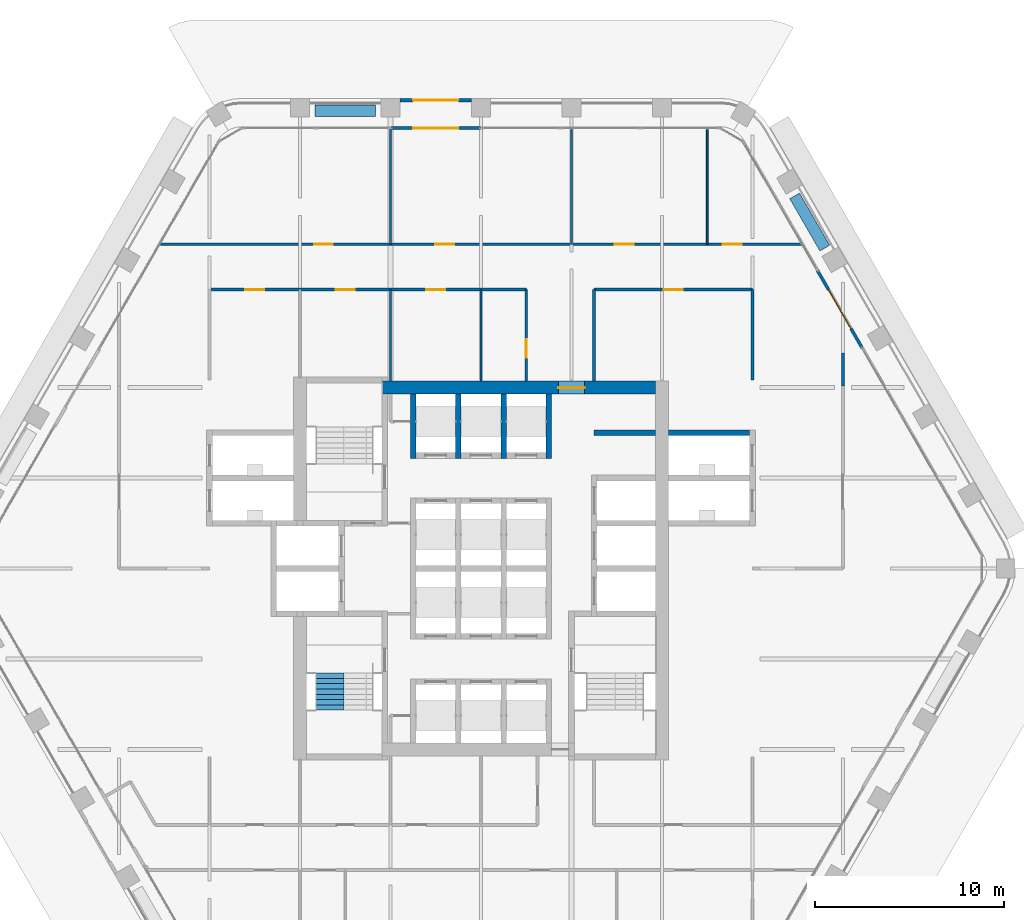
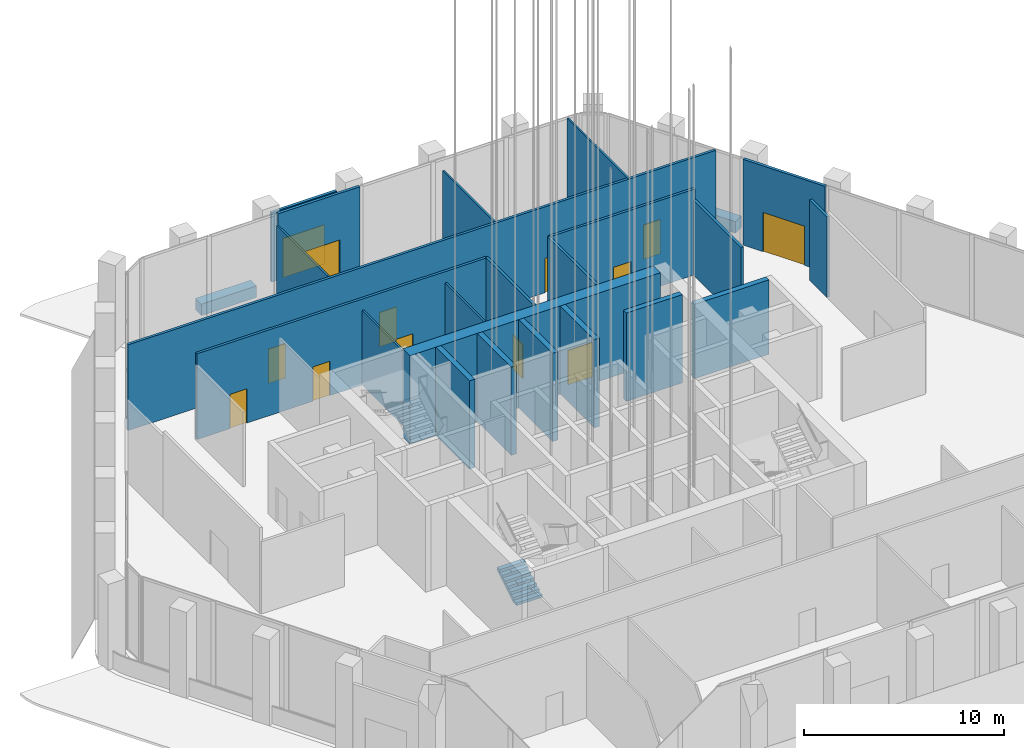
# One storey, part 11 of 42: 24 walls, 13 doors, 1 stair flight, 13 openings, 1 element without a shape of its own.
"""IFC4 building model written with IfcOpenShell, lengths in metres."""

from ifc_helpers import new_model, si_unit, direction, frame, frame_2d, origin, place, context, subcontext, project, spatial, polyline, rectangle, outline, extrude, material, layer, layer_set, type_object, element, fill, aggregate, save


model = new_model("IFC4")

# Units and contexts
model_context = context("Model", 3, precision=1e-05, world=origin(), true_north=direction((0.0, 1.0)))
body_context = subcontext(model_context, "Body", "Model", "MODEL_VIEW")
ifc_project = project(units=[si_unit("LENGTHUNIT", "METRE"), si_unit("AREAUNIT", "SQUARE_METRE"), si_unit("VOLUMEUNIT", "CUBIC_METRE"), si_unit("PLANEANGLEUNIT", "RADIAN"), si_unit("MASSUNIT", "GRAM", prefix="KILO")], contexts=[model_context])

# Site, building, storey
site_placement = place(None, origin())
site = spatial("IfcSite", under=ifc_project, at=site_placement, CompositionType="ELEMENT")
building_placement = place(site_placement, origin())
building = spatial("IfcBuilding", under=site, at=building_placement, Name="Kolab Exchange Tower", CompositionType="ELEMENT")
storey_placement = place(building_placement, frame((0.0, 0.0, 133.39990234375)))
storey = spatial("IfcBuildingStorey", under=building, at=storey_placement, Name="L26", CompositionType="ELEMENT", Elevation=133.39990234375)

# Wall, opening, door
ifc_material_1 = material(Name="Concrete C60/75", Category="concrete")
ifc_layer_1 = layer(ifc_material_1, 0.699951171875)
ifc_layer_set_1 = layer_set([ifc_layer_1], Name="Concrete C60/75")
wall_type_1 = type_object("IfcWallType", Name="CORE WALL 700 C60/75", PredefinedType="SHEAR", material=ifc_layer_set_1)
wall_1_placement = place(storey_placement, frame((-5.25, 9.60009765625, -0.14990234375), z_axis=(0.0, 0.0, 1.0), x_axis=(1.0, 0.0, 0.0)))
wall_1 = element("IfcWall", 1, at=wall_1_placement, inside=storey, type_object=wall_type_1, Name="wall/L26/core/037", PredefinedType="SHEAR", context=body_context, shape_type="SweptSolid", body=[
    extrude(rectangle(XDim=14.5, YDim=0.699951171875, at=frame_2d((7.25, 0.0))), origin(), (0.0, 0.0, 1.0), 5.39990234375),
])
opening_1_placement = place(wall_1_placement, frame((9.35009765625, 0.0, 0.14990234375)))
opening_1 = element("IfcOpeningElement", 2, at=opening_1_placement, cuts=wall_1, Name="Opening D5-009", PredefinedType="OPENING", context=body_context, shape_type="SweptSolid", body=[
    extrude(rectangle(XDim=1.39990234375, YDim=2.10009765625, at=frame_2d((0.699951171875, 1.050048828125))), frame((0.0, 0.35986328125, 0.0), z_axis=(0.0, -1.0, 0.0), x_axis=(1.0, 0.0, 0.0)), (0.0, 0.0, 1.0), 0.719970703125),
])
ifc_material_2 = material(Name="Steel S235", Category="steel")
door_type_1 = type_object("IfcDoorType", Name="CORE DOOR 1400 EI 120", OperationType="DOUBLE_DOOR_SINGLE_SWING", PredefinedType="DOOR", material=ifc_material_2)
door_1_placement = place(opening_1_placement, frame((1.39990234375, 0.0, 0.0), z_axis=(0.0, 0.0, 1.0), x_axis=(-1.0, 0.0, 0.0)))
door_1 = element("IfcDoor", 3, at=door_1_placement, inside=storey, type_object=door_type_1, Name="Core lobby door", OperationType="SINGLE_SWING_LEFT", OverallHeight=2.10009765625, OverallWidth=1.39990234375, PredefinedType="DOOR", context=body_context, shape_type="SweptSolid", body=[
    extrude(rectangle(XDim=1.39990234375, YDim=2.10009765625, at=frame_2d((0.699951171875, 1.050048828125))), frame((0.0, 0.02490234375, 0.0), z_axis=(0.0, -1.0, 0.0), x_axis=(1.0, 0.0, 0.0)), (0.0, 0.0, 1.0), 0.050048828125),
])
fill(opening_1, door_1)

ifc_material_3 = material(Name="Aluminium EN AW-6063 T6", Category="aluminium")
ifc_layer_2 = layer(ifc_material_3, 0.159912109375)
ifc_layer_set_2 = layer_set([ifc_layer_2], Name="Aluminium EN AW-6063 T6")
wall_type_2 = type_object("IfcWallType", Name="DOOR SURROUND WALL 160 ALUMINIUM FRAMED", PredefinedType="PARTITIONING", material=ifc_layer_set_2)
wall_2_placement = place(storey_placement, frame((-4.77001953125, 23.361572265625, 0.0), z_axis=(0.0, 0.0, 1.0), x_axis=(1.0, 0.0, 0.0)))
wall_2 = element("IfcWall", 4, at=wall_2_placement, inside=storey, type_object=wall_type_2, Name="Door surround wall", PredefinedType="PARTITIONING", context=body_context, shape_type="SweptSolid", body=[
    extrude(rectangle(XDim=4.739990234375, YDim=0.159912109375, at=frame_2d((2.3701171875, 0.0))), origin(), (0.0, 0.0, 1.0), 5.25),
])
opening_2_placement = place(wall_2_placement, frame((1.169921875, 0.0, 0.0)))
opening_2 = element("IfcOpeningElement", 5, at=opening_2_placement, cuts=wall_2, Name="Opening GD1-055", PredefinedType="OPENING", context=body_context, shape_type="SweptSolid", body=[
    extrude(rectangle(XDim=2.39990234375, YDim=2.39990234375, at=frame_2d((1.199951171875, 1.199951171875))), frame((0.0, 0.08984375, 0.0), z_axis=(0.0, -1.0, 0.0), x_axis=(1.0, 0.0, 0.0)), (0.0, 0.0, 1.0), 0.179931640625),
])
door_type_2 = type_object("IfcDoorType", Name="LOGGIA SLIDING GLASS DOOR 2400 X 2400", OperationType="DOUBLE_DOOR_SINGLE_SWING", PredefinedType="DOOR", material=ifc_material_3)
door_2_placement = place(opening_2_placement, origin())
door_2 = element("IfcDoor", 6, at=door_2_placement, inside=storey, type_object=door_type_2, Name="Loggia door", OperationType="DOUBLE_DOOR_SLIDING", OverallHeight=2.39990234375, OverallWidth=2.39990234375, PredefinedType="DOOR", context=body_context, shape_type="SweptSolid", body=[
    extrude(rectangle(XDim=2.39990234375, YDim=2.39990234375, at=frame_2d((1.199951171875, 1.199951171875))), frame((0.0, 0.02490234375, 0.0), z_axis=(0.0, -1.0, 0.0), x_axis=(1.0, 0.0, 0.0)), (0.0, 0.0, 1.0), 0.050048828125),
])
fill(opening_2, door_2)

wall_3_placement = place(storey_placement, frame((17.8466796875, 15.811767578125, 0.0), z_axis=(0.0, 0.0, 1.0), x_axis=(0.5000167099, -0.866015756104, 0.0)))
wall_3 = element("IfcWall", 7, at=wall_3_placement, inside=storey, type_object=wall_type_2, Name="Door surround wall", PredefinedType="PARTITIONING", context=body_context, shape_type="SweptSolid", body=[
    extrude(rectangle(XDim=4.739990234375, YDim=0.159912109375, at=frame_2d((2.3701171875, 0.0))), origin(), (0.0, 0.0, 1.0), 5.25),
])
opening_3_placement = place(wall_3_placement, frame((1.169921875, 0.0, 0.0)))
opening_3 = element("IfcOpeningElement", 8, at=opening_3_placement, cuts=wall_3, Name="Opening GD1-056", PredefinedType="OPENING", context=body_context, shape_type="SweptSolid", body=[
    extrude(rectangle(XDim=2.39990234375, YDim=2.39990234375, at=frame_2d((1.199951171875, 1.199951171875))), frame((0.0, 0.08984375, 0.0), z_axis=(0.0, -1.0, 0.0), x_axis=(1.0, 0.0, 0.0)), (0.0, 0.0, 1.0), 0.179931640625),
])
door_3_placement = place(opening_3_placement, origin())
door_3 = element("IfcDoor", 9, at=door_3_placement, inside=storey, type_object=door_type_2, Name="Loggia door", OperationType="DOUBLE_DOOR_SLIDING", OverallHeight=2.39990234375, OverallWidth=2.39990234375, PredefinedType="DOOR", context=body_context, shape_type="SweptSolid", body=[
    extrude(rectangle(XDim=2.39990234375, YDim=2.39990234375, at=frame_2d((1.199951171875, 1.199951171875))), frame((0.0, 0.02490234375, 0.0), z_axis=(0.0, -1.0, 0.0), x_axis=(1.0, 0.0, 0.0)), (0.0, 0.0, 1.0), 0.050048828125),
])
fill(opening_3, door_3)

wall_4_placement = place(storey_placement, frame((-4.298095703125, 24.841552734375, 0.0), z_axis=(0.0, 0.0, 1.0), x_axis=(1.0, 0.0, 0.0)))
wall_4 = element("IfcWall", 10, at=wall_4_placement, inside=storey, type_object=wall_type_2, Name="Door surround wall", PredefinedType="PARTITIONING", context=body_context, shape_type="SweptSolid", body=[
    extrude(rectangle(XDim=3.796142578125, YDim=0.159912109375, at=frame_2d((1.89794921875, 0.0))), origin(), (0.0, 0.0, 1.0), 4.25),
])
opening_4_placement = place(wall_4_placement, frame((0.697998046875, 0.0, 0.0)))
opening_4 = element("IfcOpeningElement", 11, at=opening_4_placement, cuts=wall_4, Name="Opening GD1-061", PredefinedType="OPENING", context=body_context, shape_type="SweptSolid", body=[
    extrude(rectangle(XDim=2.39990234375, YDim=2.39990234375, at=frame_2d((1.199951171875, 1.199951171875))), frame((0.0, 0.08984375, 0.0), z_axis=(0.0, -1.0, 0.0), x_axis=(1.0, 0.0, 0.0)), (0.0, 0.0, 1.0), 0.179931640625),
])
door_4_placement = place(opening_4_placement, origin())
door_4 = element("IfcDoor", 12, at=door_4_placement, inside=storey, type_object=door_type_2, Name="Terrace door", OperationType="DOUBLE_DOOR_SLIDING", OverallHeight=2.39990234375, OverallWidth=2.39990234375, PredefinedType="DOOR", context=body_context, shape_type="SweptSolid", body=[
    extrude(rectangle(XDim=2.39990234375, YDim=2.39990234375, at=frame_2d((1.199951171875, 1.199951171875))), frame((0.0, 0.02490234375, 0.0), z_axis=(0.0, -1.0, 0.0), x_axis=(1.0, 0.0, 0.0)), (0.0, 0.0, 1.0), 0.050048828125),
])
fill(opening_4, door_4)

# Walls
ifc_material_4 = material(Name="Concrete C50/60", Category="concrete")
ifc_layer_3 = layer(ifc_material_4, 0.300048828125)
ifc_layer_set_3 = layer_set([ifc_layer_3], Name="Concrete C50/60")
wall_type_3 = type_object("IfcWallType", Name="LIFT SHAFT WALL 300 C50/60", PredefinedType="STANDARD", material=ifc_layer_set_3)
wall_5_placement = place(storey_placement, frame((6.0, 7.199951171875, -0.14990234375), z_axis=(0.0, 0.0, 1.0), x_axis=(1.0, 0.0, 0.0)))
element("IfcWall", 13, at=wall_5_placement, inside=storey, type_object=wall_type_3, Name="wall/L26/core/035", PredefinedType="STANDARD", context=body_context, shape_type="SweptSolid", body=[
    extrude(rectangle(XDim=3.25, YDim=0.300048828125, at=frame_2d((1.625, 0.0))), origin(), (0.0, 0.0, 1.0), 5.39990234375),
])
wall_6_placement = place(storey_placement, frame((9.949951171875, 7.199951171875, -0.14990234375), z_axis=(0.0, 0.0, 1.0), x_axis=(1.0, 0.0, 0.0)))
element("IfcWall", 14, at=wall_6_placement, inside=storey, type_object=wall_type_3, Name="wall/L26/core/036", PredefinedType="STANDARD", context=body_context, shape_type="SweptSolid", body=[
    extrude(rectangle(XDim=4.300048828125, YDim=0.300048828125, at=frame_2d((2.14990234375, 0.0))), origin(), (0.0, 0.0, 1.0), 4.550048828125),
])
for number, where, z_axis, x_axis, name in (
    (15, (-3.60009765625, 5.85009765625, -0.14990234375), (0.0, 0.0, 1.0), (0.0, 1.0, 0.0), "wall/L26/core/052"),
    (16, (-1.199951171875, 5.85009765625, -0.14990234375), (0.0, 0.0, 1.0), (0.0, 1.0, 0.0), "wall/L26/core/055"),
    (17, (1.199951171875, 5.85009765625, -0.14990234375), (0.0, 0.0, 1.0), (0.0, 1.0, 0.0), "wall/L26/core/058"),
    (18, (3.60009765625, 5.85009765625, -0.14990234375), (0.0, 0.0, 1.0), (0.0, 1.0, 0.0), "wall/L26/core/061"),
):
    element("IfcWall", number, at=place(storey_placement, frame(where, z_axis=z_axis, x_axis=x_axis)), inside=storey, type_object=wall_type_3, Name=name, PredefinedType="STANDARD", context=body_context, shape_type="SweptSolid", body=[
        extrude(rectangle(XDim=3.39990234375, YDim=0.300048828125, at=frame_2d((1.699951171875, 0.0))), origin(), (0.0, 0.0, 1.0), 5.39990234375),
    ])
ifc_material_5 = material(Name="Gypsum board", Category="gypsum")
ifc_layer_4 = layer(ifc_material_5, 0.10009765625)
ifc_layer_set_4 = layer_set([ifc_layer_4], Name="Gypsum board")
wall_type_4 = type_object("IfcWallType", Name="PARTITION 100", PredefinedType="PARTITIONING", material=ifc_layer_set_4)
wall_7_placement = place(storey_placement, frame((12.0, 17.199951171875, 0.0), z_axis=(0.0, 0.0, 1.0), x_axis=(0.0, 1.0, 0.0)))
element("IfcWall", 19, at=wall_7_placement, inside=storey, type_object=wall_type_4, Name="Partition 004", PredefinedType="PARTITIONING", context=body_context, shape_type="SweptSolid", body=[
    extrude(rectangle(XDim=6.071533203125, YDim=0.10009765625, at=frame_2d((3.03564453125, 0.0))), origin(), (0.0, 0.0, 1.0), 5.25),
])
wall_8_placement = place(storey_placement, frame((4.800048828125, 17.199951171875, 0.0), z_axis=(0.0, 0.0, 1.0), x_axis=(0.0, 1.0, 0.0)))
element("IfcWall", 20, at=wall_8_placement, inside=storey, type_object=wall_type_4, Name="Partition 008", PredefinedType="PARTITIONING", context=body_context, shape_type="SweptSolid", body=[
    extrude(rectangle(XDim=6.071533203125, YDim=0.10009765625, at=frame_2d((3.03564453125, 0.0))), origin(), (0.0, 0.0, 1.0), 4.566162109375),
])
for number, where, z_axis, x_axis, name in (
    (21, (0.0, 9.949951171875, 0.0), (0.0, 0.0, 1.0), (0.0, 1.0, 0.0), "Partition 012"),
    (22, (-4.800048828125, 9.949951171875, 0.0), (0.0, 0.0, 1.0), (0.0, 1.0, 0.0), "Partition 014"),
):
    element("IfcWall", number, at=place(storey_placement, frame(where, z_axis=z_axis, x_axis=x_axis)), inside=storey, type_object=wall_type_4, Name=name, PredefinedType="PARTITIONING", context=body_context, shape_type="SweptSolid", body=[
        extrude(rectangle(XDim=4.85009765625, YDim=0.10009765625, at=frame_2d((2.425048828125, 0.0))), origin(), (0.0, 0.0, 1.0), 4.566162109375),
    ])
wall_9_placement = place(storey_placement, frame((-4.800048828125, 17.199951171875, 0.0), z_axis=(0.0, 0.0, 1.0), x_axis=(0.0, 1.0, 0.0)))
element("IfcWall", 23, at=wall_9_placement, inside=storey, type_object=wall_type_4, Name="Partition 015", PredefinedType="PARTITIONING", context=body_context, shape_type="SweptSolid", body=[
    extrude(rectangle(XDim=6.08154296875, YDim=0.10009765625, at=frame_2d((3.040771484375, 0.0))), origin(), (0.0, 0.0, 1.0), 4.566162109375),
])
ifc_layer_5 = layer(ifc_material_5, 0.14990234375)
ifc_layer_set_5 = layer_set([ifc_layer_5], Name="Gypsum board")
wall_type_5 = type_object("IfcWallType", Name="PARTITION 150 FIRE-RATED", PredefinedType="PARTITIONING", material=ifc_layer_set_5)
wall_10_placement = place(storey_placement, frame((19.199951171875, 9.693603515625, 0.0), z_axis=(0.0, 0.0, 1.0), x_axis=(0.0, 1.0, 0.0)))
element("IfcWall", 24, at=wall_10_placement, inside=storey, type_object=wall_type_5, Name="Partition 000", PredefinedType="PARTITIONING", context=body_context, shape_type="SweptSolid", body=[
    extrude(rectangle(XDim=1.730712890625, YDim=0.14990234375, at=frame_2d((0.865234375, 0.0))), origin(), (0.0, 0.0, 1.0), 4.940185546875),
])
wall_11_placement = place(storey_placement, frame((14.39990234375, 10.0, 0.0), z_axis=(0.0, 0.0, 1.0), x_axis=(0.0, 1.0, 0.0)))
element("IfcWall", 25, at=wall_11_placement, inside=storey, type_object=wall_type_5, Name="Partition 003", PredefinedType="PARTITIONING", context=body_context, shape_type="SweptSolid", body=[
    extrude(rectangle(XDim=4.800048828125, YDim=0.14990234375, at=frame_2d((2.39990234375, 0.0))), origin(), (0.0, 0.0, 1.0), 4.566162109375),
])
wall_12_placement = place(storey_placement, frame((6.0, 9.949951171875, 0.0), z_axis=(0.0, 0.0, 1.0), x_axis=(0.0, 1.0, 0.0)))
element("IfcWall", 26, at=wall_12_placement, inside=storey, type_object=wall_type_5, Name="Partition 007", PredefinedType="PARTITIONING", context=body_context, shape_type="SweptSolid", body=[
    extrude(rectangle(XDim=4.85009765625, YDim=0.14990234375, at=frame_2d((2.425048828125, 0.0))), origin(), (0.0, 0.0, 1.0), 5.25),
])

# Wall, opening, door
wall_13_placement = place(storey_placement, frame((2.39990234375, 9.949951171875, 0.0), z_axis=(0.0, 0.0, 1.0), x_axis=(0.0, 1.0, 0.0)))
wall_13 = element("IfcWall", 27, at=wall_13_placement, inside=storey, type_object=wall_type_5, Name="Partition 010", PredefinedType="PARTITIONING", context=body_context, shape_type="SweptSolid", body=[
    extrude(rectangle(XDim=4.85009765625, YDim=0.14990234375, at=frame_2d((2.425048828125, 0.0))), origin(), (0.0, 0.0, 1.0), 5.25),
])
opening_5_placement = place(wall_13_placement, frame((1.22509765625, 0.0, 0.0)))
opening_5 = element("IfcOpeningElement", 28, at=opening_5_placement, cuts=wall_13, Name="Opening D1-388", PredefinedType="OPENING", context=body_context, shape_type="SweptSolid", body=[
    extrude(rectangle(XDim=1.0, YDim=2.10009765625, at=frame_2d((0.5, 1.050048828125))), frame((0.0, 0.0849609375, 0.0), z_axis=(0.0, -1.0, 0.0), x_axis=(1.0, 0.0, 0.0)), (0.0, 0.0, 1.0), 0.169921875),
])
door_type_3 = type_object("IfcDoorType", Name="FLUSH DOOR 1000 FD60", OperationType="SINGLE_SWING_LEFT", PredefinedType="DOOR", material=ifc_material_2)
door_5_placement = place(opening_5_placement, origin())
door_5 = element("IfcDoor", 29, at=door_5_placement, inside=storey, type_object=door_type_3, Name="Door L26-041", OperationType="SINGLE_SWING_LEFT", OverallHeight=2.10009765625, OverallWidth=1.0, PredefinedType="DOOR", context=body_context, shape_type="SweptSolid", body=[
    extrude(rectangle(XDim=1.0, YDim=2.10009765625, at=frame_2d((0.5, 1.050048828125))), frame((0.0, 0.02490234375, 0.0), z_axis=(0.0, -1.0, 0.0), x_axis=(1.0, 0.0, 0.0)), (0.0, 0.0, 1.0), 0.050048828125),
])
fill(opening_5, door_5)

# Wall, openings, doors
wall_14_placement = place(storey_placement, frame((-14.39990234375, 14.800048828125, 0.0), z_axis=(0.0, 0.0, 1.0), x_axis=(1.0, 0.0, 0.0)))
wall_14 = element("IfcWall", 30, at=wall_14_placement, inside=storey, type_object=wall_type_5, Name="Partition 034", PredefinedType="PARTITIONING", context=body_context, shape_type="SweptSolid", body=[
    extrude(rectangle(XDim=16.7998046875, YDim=0.14990234375, at=frame_2d((8.39990234375, 0.0))), origin(), (0.0, 0.0, 1.0), 5.25),
])
opening_6_placement = place(wall_14_placement, frame((1.89990234375, 0.0, 0.0)))
opening_6 = element("IfcOpeningElement", 31, at=opening_6_placement, cuts=wall_14, Name="Opening D1-385", PredefinedType="OPENING", context=body_context, shape_type="SweptSolid", body=[
    extrude(rectangle(XDim=1.0, YDim=2.10009765625, at=frame_2d((0.5, 1.050048828125))), frame((0.0, 0.0849609375, 0.0), z_axis=(0.0, -1.0, 0.0), x_axis=(1.0, 0.0, 0.0)), (0.0, 0.0, 1.0), 0.169921875),
])
opening_7_placement = place(wall_14_placement, frame((6.699951171875, 0.0, 0.0)))
opening_7 = element("IfcOpeningElement", 32, at=opening_7_placement, cuts=wall_14, Name="Opening D1-386", PredefinedType="OPENING", context=body_context, shape_type="SweptSolid", body=[
    extrude(rectangle(XDim=1.0, YDim=2.10009765625, at=frame_2d((0.5, 1.050048828125))), frame((0.0, 0.0849609375, 0.0), z_axis=(0.0, -1.0, 0.0), x_axis=(1.0, 0.0, 0.0)), (0.0, 0.0, 1.0), 0.169921875),
])
opening_8_placement = place(wall_14_placement, frame((11.5, 0.0, 0.0)))
opening_8 = element("IfcOpeningElement", 33, at=opening_8_placement, cuts=wall_14, Name="Opening D1-387", PredefinedType="OPENING", context=body_context, shape_type="SweptSolid", body=[
    extrude(rectangle(XDim=1.0, YDim=2.10009765625, at=frame_2d((0.5, 1.050048828125))), frame((0.0, 0.0849609375, 0.0), z_axis=(0.0, -1.0, 0.0), x_axis=(1.0, 0.0, 0.0)), (0.0, 0.0, 1.0), 0.169921875),
])
door_6_placement = place(opening_6_placement, frame((1.0, 0.0, 0.0), z_axis=(0.0, 0.0, 1.0), x_axis=(-1.0, 0.0, 0.0)))
door_6 = element("IfcDoor", 34, at=door_6_placement, inside=storey, type_object=door_type_3, Name="Door L26-038", OperationType="SINGLE_SWING_LEFT", OverallHeight=2.10009765625, OverallWidth=1.0, PredefinedType="DOOR", context=body_context, shape_type="SweptSolid", body=[
    extrude(rectangle(XDim=1.0, YDim=2.10009765625, at=frame_2d((0.5, 1.050048828125))), frame((0.0, 0.02490234375, 0.0), z_axis=(0.0, -1.0, 0.0), x_axis=(1.0, 0.0, 0.0)), (0.0, 0.0, 1.0), 0.050048828125),
])
fill(opening_6, door_6)
door_7_placement = place(opening_7_placement, frame((1.0, 0.0, 0.0), z_axis=(0.0, 0.0, 1.0), x_axis=(-1.0, 0.0, 0.0)))
door_7 = element("IfcDoor", 35, at=door_7_placement, inside=storey, type_object=door_type_3, Name="Door L26-039", OperationType="SINGLE_SWING_LEFT", OverallHeight=2.10009765625, OverallWidth=1.0, PredefinedType="DOOR", context=body_context, shape_type="SweptSolid", body=[
    extrude(rectangle(XDim=1.0, YDim=2.10009765625, at=frame_2d((0.5, 1.050048828125))), frame((0.0, 0.02490234375, 0.0), z_axis=(0.0, -1.0, 0.0), x_axis=(1.0, 0.0, 0.0)), (0.0, 0.0, 1.0), 0.050048828125),
])
fill(opening_7, door_7)
door_8_placement = place(opening_8_placement, frame((1.0, 0.0, 0.0), z_axis=(0.0, 0.0, 1.0), x_axis=(-1.0, 0.0, 0.0)))
door_8 = element("IfcDoor", 36, at=door_8_placement, inside=storey, type_object=door_type_3, Name="Door L26-040", OperationType="SINGLE_SWING_LEFT", OverallHeight=2.10009765625, OverallWidth=1.0, PredefinedType="DOOR", context=body_context, shape_type="SweptSolid", body=[
    extrude(rectangle(XDim=1.0, YDim=2.10009765625, at=frame_2d((0.5, 1.050048828125))), frame((0.0, 0.02490234375, 0.0), z_axis=(0.0, -1.0, 0.0), x_axis=(1.0, 0.0, 0.0)), (0.0, 0.0, 1.0), 0.050048828125),
])
fill(opening_8, door_8)

# Wall, opening, door
wall_15_placement = place(storey_placement, frame((6.0, 14.800048828125, 0.0), z_axis=(0.0, 0.0, 1.0), x_axis=(1.0, 0.0, 0.0)))
wall_15 = element("IfcWall", 37, at=wall_15_placement, inside=storey, type_object=wall_type_5, Name="Partition 035", PredefinedType="PARTITIONING", context=body_context, shape_type="SweptSolid", body=[
    extrude(rectangle(XDim=8.39990234375, YDim=0.14990234375, at=frame_2d((4.199951171875, 0.0))), origin(), (0.0, 0.0, 1.0), 5.25),
])
opening_9_placement = place(wall_15_placement, frame((3.699951171875, 0.0, 0.0)))
opening_9 = element("IfcOpeningElement", 38, at=opening_9_placement, cuts=wall_15, Name="Opening D1-384", PredefinedType="OPENING", context=body_context, shape_type="SweptSolid", body=[
    extrude(rectangle(XDim=1.0, YDim=2.10009765625, at=frame_2d((0.5, 1.050048828125))), frame((0.0, 0.0849609375, 0.0), z_axis=(0.0, -1.0, 0.0), x_axis=(1.0, 0.0, 0.0)), (0.0, 0.0, 1.0), 0.169921875),
])
door_9_placement = place(opening_9_placement, frame((1.0, 0.0, 0.0), z_axis=(0.0, 0.0, 1.0), x_axis=(-1.0, 0.0, 0.0)))
door_9 = element("IfcDoor", 39, at=door_9_placement, inside=storey, type_object=door_type_3, Name="Door L26-037", OperationType="SINGLE_SWING_LEFT", OverallHeight=2.10009765625, OverallWidth=1.0, PredefinedType="DOOR", context=body_context, shape_type="SweptSolid", body=[
    extrude(rectangle(XDim=1.0, YDim=2.10009765625, at=frame_2d((0.5, 1.050048828125))), frame((0.0, 0.02490234375, 0.0), z_axis=(0.0, -1.0, 0.0), x_axis=(1.0, 0.0, 0.0)), (0.0, 0.0, 1.0), 0.050048828125),
])
fill(opening_9, door_9)

# Wall, openings, doors
wall_16_placement = place(storey_placement, frame((-16.9990234375, 17.199951171875, 0.0), z_axis=(0.0, 0.0, 1.0), x_axis=(1.0, 0.0, 0.0)))
wall_16 = element("IfcWall", 40, at=wall_16_placement, inside=storey, type_object=wall_type_5, Name="Partition 036", PredefinedType="PARTITIONING", context=body_context, shape_type="SweptSolid", body=[
    extrude(rectangle(XDim=33.998046875, YDim=0.14990234375, at=frame_2d((16.9990234375, 0.0))), origin(), (0.0, 0.0, 1.0), 5.25),
])
opening_10_placement = place(wall_16_placement, frame((8.1396484375, 0.0, 0.0)))
opening_10 = element("IfcOpeningElement", 41, at=opening_10_placement, cuts=wall_16, Name="Opening D1-391", PredefinedType="OPENING", context=body_context, shape_type="SweptSolid", body=[
    extrude(rectangle(XDim=1.0, YDim=2.10009765625, at=frame_2d((0.5, 1.050048828125))), frame((0.0, 0.0849609375, 0.0), z_axis=(0.0, -1.0, 0.0), x_axis=(1.0, 0.0, 0.0)), (0.0, 0.0, 1.0), 0.169921875),
])
opening_11_placement = place(wall_16_placement, frame((14.573974609375, 0.0, 0.0)))
opening_11 = element("IfcOpeningElement", 42, at=opening_11_placement, cuts=wall_16, Name="Opening D1-392", PredefinedType="OPENING", context=body_context, shape_type="SweptSolid", body=[
    extrude(rectangle(XDim=1.0, YDim=2.10009765625, at=frame_2d((0.5, 1.050048828125))), frame((0.0, 0.0849609375, 0.0), z_axis=(0.0, -1.0, 0.0), x_axis=(1.0, 0.0, 0.0)), (0.0, 0.0, 1.0), 0.169921875),
])
opening_12_placement = place(wall_16_placement, frame((24.10400390625, 0.0, 0.0)))
opening_12 = element("IfcOpeningElement", 43, at=opening_12_placement, cuts=wall_16, Name="Opening D1-393", PredefinedType="OPENING", context=body_context, shape_type="SweptSolid", body=[
    extrude(rectangle(XDim=1.0, YDim=2.10009765625, at=frame_2d((0.5, 1.050048828125))), frame((0.0, 0.0849609375, 0.0), z_axis=(0.0, -1.0, 0.0), x_axis=(1.0, 0.0, 0.0)), (0.0, 0.0, 1.0), 0.169921875),
])
opening_13_placement = place(wall_16_placement, frame((29.82958984375, 0.0, 0.0)))
opening_13 = element("IfcOpeningElement", 44, at=opening_13_placement, cuts=wall_16, Name="Opening D1-394", PredefinedType="OPENING", context=body_context, shape_type="SweptSolid", body=[
    extrude(rectangle(XDim=1.0, YDim=2.10009765625, at=frame_2d((0.5, 1.050048828125))), frame((0.0, 0.0849609375, 0.0), z_axis=(0.0, -1.0, 0.0), x_axis=(1.0, 0.0, 0.0)), (0.0, 0.0, 1.0), 0.169921875),
])
door_10_placement = place(opening_10_placement, origin())
door_10 = element("IfcDoor", 45, at=door_10_placement, inside=storey, type_object=door_type_3, Name="Door L26-047", OperationType="SINGLE_SWING_RIGHT", OverallHeight=2.10009765625, OverallWidth=1.0, PredefinedType="DOOR", context=body_context, shape_type="SweptSolid", body=[
    extrude(rectangle(XDim=1.0, YDim=2.10009765625, at=frame_2d((0.5, 1.050048828125))), frame((0.0, 0.02490234375, 0.0), z_axis=(0.0, -1.0, 0.0), x_axis=(1.0, 0.0, 0.0)), (0.0, 0.0, 1.0), 0.050048828125),
])
fill(opening_10, door_10)
door_11_placement = place(opening_11_placement, origin())
door_11 = element("IfcDoor", 46, at=door_11_placement, inside=storey, type_object=door_type_3, Name="Door L26-048", OperationType="SINGLE_SWING_LEFT", OverallHeight=2.10009765625, OverallWidth=1.0, PredefinedType="DOOR", context=body_context, shape_type="SweptSolid", body=[
    extrude(rectangle(XDim=1.0, YDim=2.10009765625, at=frame_2d((0.5, 1.050048828125))), frame((0.0, 0.02490234375, 0.0), z_axis=(0.0, -1.0, 0.0), x_axis=(1.0, 0.0, 0.0)), (0.0, 0.0, 1.0), 0.050048828125),
])
fill(opening_11, door_11)
door_12_placement = place(opening_12_placement, origin())
door_12 = element("IfcDoor", 47, at=door_12_placement, inside=storey, type_object=door_type_3, Name="Door L26-049", OperationType="SINGLE_SWING_LEFT", OverallHeight=2.10009765625, OverallWidth=1.0, PredefinedType="DOOR", context=body_context, shape_type="SweptSolid", body=[
    extrude(rectangle(XDim=1.0, YDim=2.10009765625, at=frame_2d((0.5, 1.050048828125))), frame((0.0, 0.02490234375, 0.0), z_axis=(0.0, -1.0, 0.0), x_axis=(1.0, 0.0, 0.0)), (0.0, 0.0, 1.0), 0.050048828125),
])
fill(opening_12, door_12)
door_13_placement = place(opening_13_placement, origin())
door_13 = element("IfcDoor", 48, at=door_13_placement, inside=storey, type_object=door_type_3, Name="Door L26-050", OperationType="SINGLE_SWING_LEFT", OverallHeight=2.10009765625, OverallWidth=1.0, PredefinedType="DOOR", context=body_context, shape_type="SweptSolid", body=[
    extrude(rectangle(XDim=1.0, YDim=2.10009765625, at=frame_2d((0.5, 1.050048828125))), frame((0.0, 0.02490234375, 0.0), z_axis=(0.0, -1.0, 0.0), x_axis=(1.0, 0.0, 0.0)), (0.0, 0.0, 1.0), 0.050048828125),
])
fill(opening_13, door_13)

# Walls
ifc_material_6 = material(Name="Granite facing", Category="masonry")
ifc_layer_6 = layer(ifc_material_6, 0.0400390625)
ifc_material_7 = material(Name="Concrete C40/50 precast", Category="concrete")
ifc_layer_7 = layer(ifc_material_7, 0.56005859375)
ifc_layer_set_6 = layer_set([ifc_layer_6, ifc_layer_7], Name="Concrete C40/50 precast")
wall_type_6 = type_object("IfcWallType", Name="PLANTER BOX 600 X 700 SOIL DEPTH 550", PredefinedType="USERDEFINED", material=ifc_layer_set_6)
for number, where, z_axis, x_axis, name in (
    (49, (-8.800048828125, 24.29150390625, 0.0), (0.0, 0.0, 1.0), (1.0, 0.0, 0.0), "Planter"),
    (50, (16.636962890625, 19.766845703125, 0.0), (0.0, 0.0, 1.0), (0.500028443584, -0.866008981251, 0.0), "Planter"),
):
    element("IfcWall", number, at=place(storey_placement, frame(where, z_axis=z_axis, x_axis=x_axis)), inside=storey, type_object=wall_type_6, Name=name, ObjectType="PLANTER", PredefinedType="USERDEFINED", context=body_context, shape_type="SweptSolid", body=[
        extrude(rectangle(XDim=3.199951171875, YDim=0.60009765625, at=frame_2d((1.60009765625, 0.0))), origin(), (0.0, 0.0, 1.0), 0.7001953125),
    ])

# Stair, stair flight
stair_type = type_object("IfcStairType", Name="STAIR ST3 RISER 168.8", PredefinedType="DOUBLE_RETURN_STAIR", material=ifc_material_4)
stair_placement = place(storey_placement, origin())
stair = element("IfcStair", 51, at=stair_placement, inside=storey, type_object=stair_type, Name="Stair 3", PredefinedType="DOUBLE_RETURN_STAIR")
stair_flight_type = type_object("IfcStairFlightType", Name="STAIR FLIGHT 1500 RISER 168.8", PredefinedType="STRAIGHT", material=ifc_material_4)
stair_flight_placement = place(storey_placement, frame((-8.010009765625, -7.510009765625, 1.35009765625), z_axis=(0.0, 0.0, 1.0), x_axis=(0.0, 1.0, 0.0)))
stair_flight = element("IfcStairFlight", 52, at=stair_flight_placement, type_object=stair_flight_type, Name="ST3 flight 2", NumberOfRisers=8, NumberOfTreads=7, PredefinedType="STRAIGHT", RiserHeight=0.16875, TreadLength=0.28, context=body_context, shape_type="SweptSolid", body=[
    extrude(outline(polyline([(0.0, 0.0), (0.0, 0.168701171875), (0.280029296875, 0.168701171875), (0.280029296875, 0.33740234375), (0.56005859375, 0.33740234375), (0.56005859375, 0.50634765625), (0.840087890625, 0.50634765625), (0.840087890625, 0.675048828125), (1.1201171875, 0.675048828125), (1.1201171875, 0.84375), (1.39990234375, 0.84375), (1.39990234375, 1.012451171875), (1.679931640625, 1.012451171875), (1.679931640625, 1.18115234375), (1.9599609375, 1.18115234375), (1.9599609375, 1.35009765625), (1.9599609375, 1.00634765625), (0.29052734375, 0.0), (0.0, 0.0)])), frame((0.0, 0.75, 0.0), z_axis=(0.0, -1.0, 0.0), x_axis=(1.0, 0.0, 0.0)), (0.0, 0.0, 1.0), 0.185791015625),
    extrude(outline(polyline([(0.0, 0.0), (0.0, 0.168701171875), (0.280029296875, 0.168701171875), (0.280029296875, 0.33740234375), (0.56005859375, 0.33740234375), (0.56005859375, 0.50634765625), (0.840087890625, 0.50634765625), (0.840087890625, 0.675048828125), (1.1201171875, 0.675048828125), (1.1201171875, 0.84375), (1.39990234375, 0.84375), (1.39990234375, 1.012451171875), (1.679931640625, 1.012451171875), (1.679931640625, 1.18115234375), (1.9599609375, 1.18115234375), (1.9599609375, 1.35009765625), (1.9599609375, 1.00634765625), (0.29052734375, 0.0), (0.0, 0.0)])), frame((0.0, 0.562255859375, 0.0), z_axis=(0.0, -1.0, 0.0), x_axis=(1.0, 0.0, 0.0)), (0.0, 0.0, 1.0), 0.185791015625),
    extrude(outline(polyline([(0.0, 0.0), (0.0, 0.168701171875), (0.280029296875, 0.168701171875), (0.280029296875, 0.33740234375), (0.56005859375, 0.33740234375), (0.56005859375, 0.50634765625), (0.840087890625, 0.50634765625), (0.840087890625, 0.675048828125), (1.1201171875, 0.675048828125), (1.1201171875, 0.84375), (1.39990234375, 0.84375), (1.39990234375, 1.012451171875), (1.679931640625, 1.012451171875), (1.679931640625, 1.18115234375), (1.9599609375, 1.18115234375), (1.9599609375, 1.35009765625), (1.9599609375, 1.00634765625), (0.29052734375, 0.0), (0.0, 0.0)])), frame((0.0, 0.37451171875, 0.0), z_axis=(0.0, -1.0, 0.0), x_axis=(1.0, 0.0, 0.0)), (0.0, 0.0, 1.0), 0.185791015625),
    extrude(outline(polyline([(0.0, 0.0), (0.0, 0.168701171875), (0.280029296875, 0.168701171875), (0.280029296875, 0.33740234375), (0.56005859375, 0.33740234375), (0.56005859375, 0.50634765625), (0.840087890625, 0.50634765625), (0.840087890625, 0.675048828125), (1.1201171875, 0.675048828125), (1.1201171875, 0.84375), (1.39990234375, 0.84375), (1.39990234375, 1.012451171875), (1.679931640625, 1.012451171875), (1.679931640625, 1.18115234375), (1.9599609375, 1.18115234375), (1.9599609375, 1.35009765625), (1.9599609375, 1.00634765625), (0.29052734375, 0.0), (0.0, 0.0)])), frame((0.0, 0.186767578125, 0.0), z_axis=(0.0, -1.0, 0.0), x_axis=(1.0, 0.0, 0.0)), (0.0, 0.0, 1.0), 0.185791015625),
    extrude(outline(polyline([(0.0, 0.0), (0.0, 0.168701171875), (0.280029296875, 0.168701171875), (0.280029296875, 0.33740234375), (0.56005859375, 0.33740234375), (0.56005859375, 0.50634765625), (0.840087890625, 0.50634765625), (0.840087890625, 0.675048828125), (1.1201171875, 0.675048828125), (1.1201171875, 0.84375), (1.39990234375, 0.84375), (1.39990234375, 1.012451171875), (1.679931640625, 1.012451171875), (1.679931640625, 1.18115234375), (1.9599609375, 1.18115234375), (1.9599609375, 1.35009765625), (1.9599609375, 1.00634765625), (0.29052734375, 0.0), (0.0, 0.0)])), frame((0.0, -0.0009765625, 0.0), z_axis=(0.0, -1.0, 0.0), x_axis=(1.0, 0.0, 0.0)), (0.0, 0.0, 1.0), 0.185791015625),
    extrude(outline(polyline([(0.0, 0.0), (0.0, 0.168701171875), (0.280029296875, 0.168701171875), (0.280029296875, 0.33740234375), (0.56005859375, 0.33740234375), (0.56005859375, 0.50634765625), (0.840087890625, 0.50634765625), (0.840087890625, 0.675048828125), (1.1201171875, 0.675048828125), (1.1201171875, 0.84375), (1.39990234375, 0.84375), (1.39990234375, 1.012451171875), (1.679931640625, 1.012451171875), (1.679931640625, 1.18115234375), (1.9599609375, 1.18115234375), (1.9599609375, 1.35009765625), (1.9599609375, 1.00634765625), (0.29052734375, 0.0), (0.0, 0.0)])), frame((0.0, -0.188720703125, 0.0), z_axis=(0.0, -1.0, 0.0), x_axis=(1.0, 0.0, 0.0)), (0.0, 0.0, 1.0), 0.185791015625),
    extrude(outline(polyline([(0.0, 0.0), (0.0, 0.168701171875), (0.280029296875, 0.168701171875), (0.280029296875, 0.33740234375), (0.56005859375, 0.33740234375), (0.56005859375, 0.50634765625), (0.840087890625, 0.50634765625), (0.840087890625, 0.675048828125), (1.1201171875, 0.675048828125), (1.1201171875, 0.84375), (1.39990234375, 0.84375), (1.39990234375, 1.012451171875), (1.679931640625, 1.012451171875), (1.679931640625, 1.18115234375), (1.9599609375, 1.18115234375), (1.9599609375, 1.35009765625), (1.9599609375, 1.00634765625), (0.29052734375, 0.0), (0.0, 0.0)])), frame((0.0, -0.37646484375, 0.0), z_axis=(0.0, -1.0, 0.0), x_axis=(1.0, 0.0, 0.0)), (0.0, 0.0, 1.0), 0.185791015625),
    extrude(outline(polyline([(0.0, 0.0), (0.0, 0.168701171875), (0.280029296875, 0.168701171875), (0.280029296875, 0.33740234375), (0.56005859375, 0.33740234375), (0.56005859375, 0.50634765625), (0.840087890625, 0.50634765625), (0.840087890625, 0.675048828125), (1.1201171875, 0.675048828125), (1.1201171875, 0.84375), (1.39990234375, 0.84375), (1.39990234375, 1.012451171875), (1.679931640625, 1.012451171875), (1.679931640625, 1.18115234375), (1.9599609375, 1.18115234375), (1.9599609375, 1.35009765625), (1.9599609375, 1.00634765625), (0.29052734375, 0.0), (0.0, 0.0)])), frame((0.0, -0.564208984375, 0.0), z_axis=(0.0, -1.0, 0.0), x_axis=(1.0, 0.0, 0.0)), (0.0, 0.0, 1.0), 0.185791015625),
])
aggregate(stair, [stair_flight])

save(model, "model.ifc")
